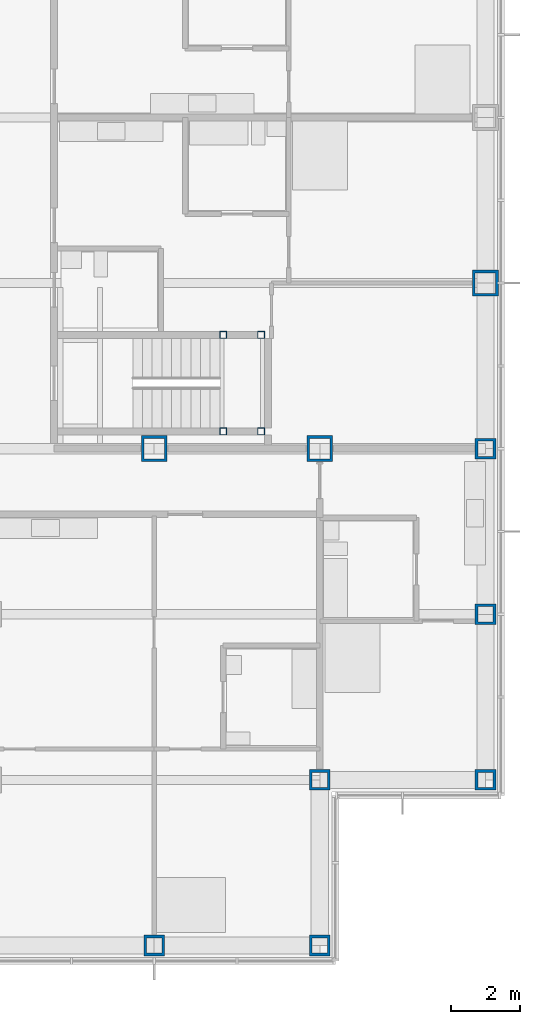
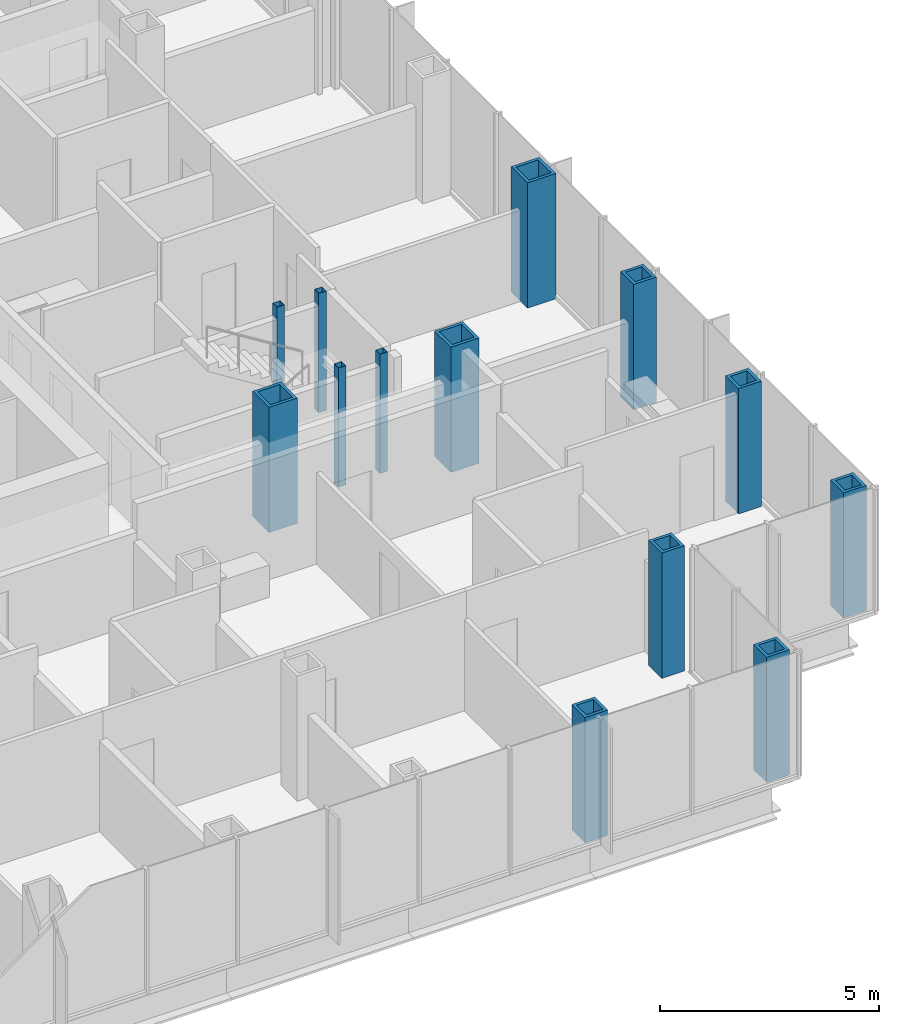
# One storey, part 4 of 21: 13 columns.
"""IFC4 building model written with IfcOpenShell, lengths in metres."""

from ifc_helpers import new_model, si_unit, direction, frame, origin, origin_2d, place, context, subcontext, project, spatial, hollow_rectangle, extrude, material, material_profile, profile_set, type_object, element, save


model = new_model("IFC4")

# Units and contexts
model_context = context("Model", 3, precision=1e-05, world=origin(), true_north=direction((0.0, 1.0)))
body_context = subcontext(model_context, "Body", "Model", "MODEL_VIEW")
ifc_project = project(units=[si_unit("LENGTHUNIT", "METRE"), si_unit("AREAUNIT", "SQUARE_METRE"), si_unit("VOLUMEUNIT", "CUBIC_METRE"), si_unit("PLANEANGLEUNIT", "RADIAN"), si_unit("MASSUNIT", "GRAM", prefix="KILO")], contexts=[model_context])

# Site, building, storey
site_placement = place(None, origin())
site = spatial("IfcSite", under=ifc_project, at=site_placement, CompositionType="ELEMENT")
building_placement = place(site_placement, origin())
building = spatial("IfcBuilding", under=site, at=building_placement, Name="Kvirike Care Tower", CompositionType="ELEMENT")
storey_placement = place(building_placement, frame((0.0, 0.0, 30.5)))
storey = spatial("IfcBuildingStorey", under=building, at=storey_placement, Name="L07", CompositionType="ELEMENT", Elevation=30.5)

# Columns
ifc_material_1 = material(Name="Steel S460", Category="steel")
ifc_material_profile_1 = material_profile(ifc_material_1, hollow_rectangle(XDim=0.60009765625, YDim=0.60009765625, WallThickness=0.080078125, at=origin_2d()), Name="BX 600x600x80")
ifc_profile_set_1 = profile_set([ifc_material_profile_1], Name="Steel S460")
column_type_1 = type_object("IfcColumnType", Name="COLUMN BX 600x600x80", PredefinedType="COLUMN", material=ifc_profile_set_1)
for number, where, z_axis, x_axis, name in (
    (1, (33.60009765625, 14.39990234375, 0.0), (0.0, 0.0, 1.0), (0.0, 1.0, 0.0), "Column D10 L07"),
    (2, (38.39990234375, 14.39990234375, 0.0), (0.0, 0.0, 1.0), (0.0, 1.0, 0.0), "Column D11 L07"),
    (3, (38.39990234375, 19.199951171875, 0.0), (0.0, 0.0, 1.0), (0.0, 1.0, 0.0), "Column E11 L07"),
    (4, (43.199951171875, 19.199951171875, 0.0), (0.0, 0.0, 1.0), (0.0, 1.0, 0.0), "Column E12 L07"),
    (5, (43.199951171875, 24.0, 0.0), (0.0, 0.0, 1.0), (1.0, 0.0, 0.0), "Column F12 L07"),
    (6, (43.199951171875, 28.800048828125, 0.0), (0.0, 0.0, 1.0), (0.0, 1.0, 0.0), "Column G12 L07"),
):
    element("IfcColumn", number, at=place(storey_placement, frame(where, z_axis=z_axis, x_axis=x_axis)), inside=storey, type_object=column_type_1, Name=name, PredefinedType="COLUMN", context=body_context, shape_type="SweptSolid", body=[
        extrude(hollow_rectangle(XDim=0.60009765625, YDim=0.60009765625, WallThickness=0.080078125, at=origin_2d()), origin(), (0.0, 0.0, 1.0), 3.5),
    ])
ifc_material_2 = material(Name="Steel S460", Category="steel")
ifc_material_profile_2 = material_profile(ifc_material_2, hollow_rectangle(XDim=0.75, YDim=0.75, WallThickness=0.080078125, at=origin_2d()), Name="BX 750x750x80")
ifc_profile_set_2 = profile_set([ifc_material_profile_2], Name="Steel S460")
column_type_2 = type_object("IfcColumnType", Name="COLUMN BX 750x750x80", PredefinedType="COLUMN", material=ifc_profile_set_2)
for number, where, z_axis, x_axis, name in (
    (7, (33.60009765625, 28.800048828125, 0.0), (0.0, 0.0, 1.0), (0.0, 1.0, 0.0), "Column G10 L07"),
    (8, (38.39990234375, 28.800048828125, 0.0), (0.0, 0.0, 1.0), (0.0, 1.0, 0.0), "Column G11 L07"),
    (9, (43.199951171875, 33.60009765625, 0.0), (0.0, 0.0, 1.0), (1.0, 0.0, 0.0), "Column H12 L07"),
):
    element("IfcColumn", number, at=place(storey_placement, frame(where, z_axis=z_axis, x_axis=x_axis)), inside=storey, type_object=column_type_2, Name=name, PredefinedType="COLUMN", context=body_context, shape_type="SweptSolid", body=[
        extrude(hollow_rectangle(XDim=0.75, YDim=0.75, WallThickness=0.080078125, at=origin_2d()), origin(), (0.0, 0.0, 1.0), 3.5),
    ])
ifc_material_3 = material(Name="Steel S460", Category="steel")
ifc_material_profile_3 = material_profile(ifc_material_3, hollow_rectangle(XDim=0.199951171875, YDim=0.199951171875, WallThickness=0.008056640625, at=origin_2d()), Name="SHS 200x200x8")
ifc_profile_set_3 = profile_set([ifc_material_profile_3], Name="Steel S460")
column_type_3 = type_object("IfcColumnType", Name="STAIR POST SHS 200x200x8", PredefinedType="COLUMN", material=ifc_profile_set_3)
for number, where, z_axis, x_axis, name in (
    (10, (36.699951171875, 29.300048828125, 0.0), (0.0, 0.0, 1.0), (1.0, 0.0, 0.0), "Stair 2 post 1 L07"),
    (11, (36.699951171875, 32.10009765625, 0.0), (0.0, 0.0, 1.0), (1.0, 0.0, 0.0), "Stair 2 post 2 L07"),
    (12, (35.60009765625, 29.300048828125, 0.0), (0.0, 0.0, 1.0), (1.0, 0.0, 0.0), "Stair 2 post 3 L07"),
    (13, (35.60009765625, 32.10009765625, 0.0), (0.0, 0.0, 1.0), (1.0, 0.0, 0.0), "Stair 2 post 4 L07"),
):
    element("IfcColumn", number, at=place(storey_placement, frame(where, z_axis=z_axis, x_axis=x_axis)), inside=storey, type_object=column_type_3, Name=name, PredefinedType="COLUMN", context=body_context, shape_type="SweptSolid", body=[
        extrude(hollow_rectangle(XDim=0.199951171875, YDim=0.199951171875, WallThickness=0.008056640625, at=origin_2d()), origin(), (0.0, 0.0, 1.0), 3.330078125),
    ])

save(model, "model.ifc")
